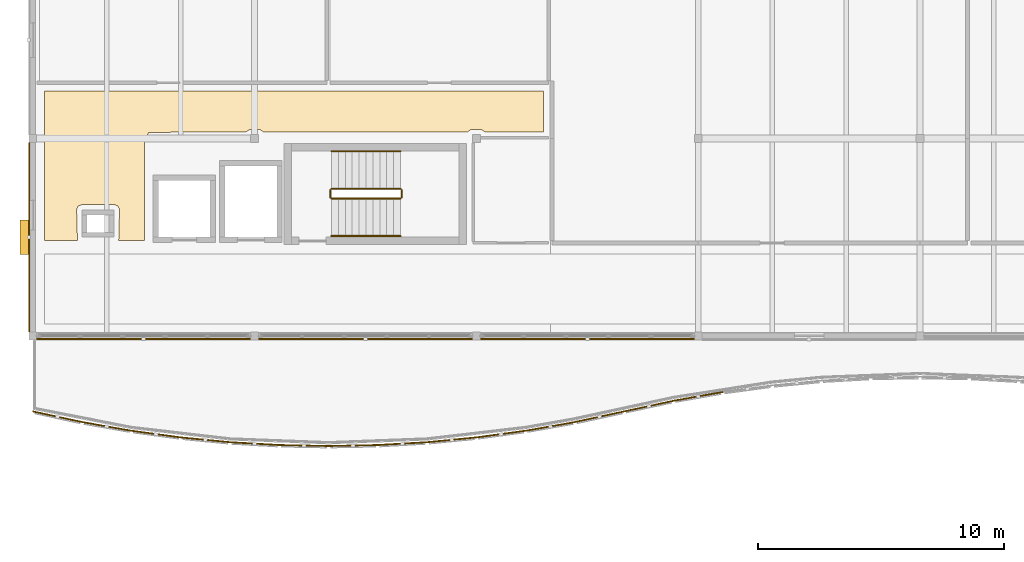
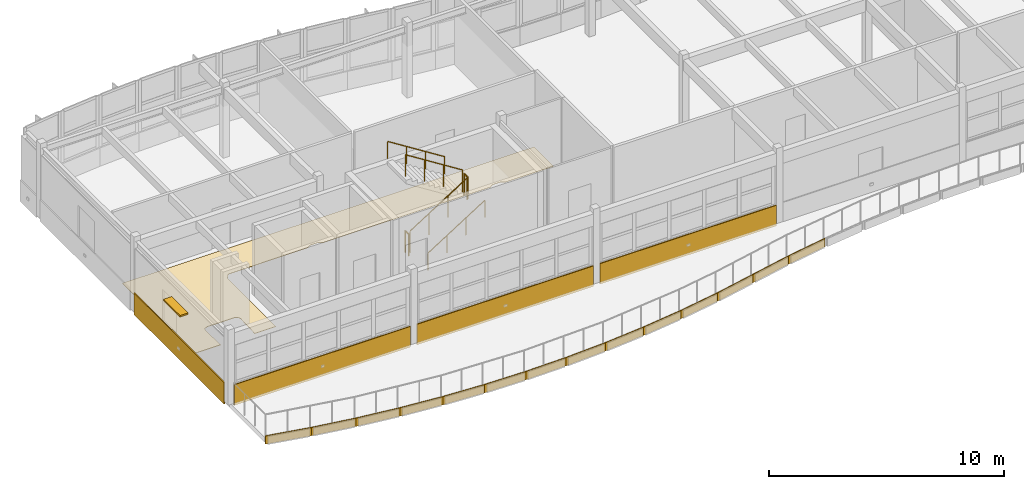
# One storey, part 27 of 33: 19 coverings, 6 railings, 1 shading device.
"""IFC4 building model written with IfcOpenShell, lengths in metres."""

from ifc_helpers import new_model, si_unit, direction, frame, origin, origin_2d, place, context, subcontext, project, spatial, polyline, rectangle, circle, outline, extrude, material, layer, layer_set, type_object, element, save


model = new_model("IFC4")

# Units and contexts
model_context = context("Model", 3, precision=1e-05, world=origin(), true_north=direction((0.0, 1.0)))
body_context = subcontext(model_context, "Body", "Model", "MODEL_VIEW")
ifc_project = project(units=[si_unit("LENGTHUNIT", "METRE"), si_unit("AREAUNIT", "SQUARE_METRE"), si_unit("VOLUMEUNIT", "CUBIC_METRE"), si_unit("PLANEANGLEUNIT", "RADIAN"), si_unit("MASSUNIT", "GRAM", prefix="KILO")], contexts=[model_context])

# Site, building, storey
site_placement = place(None, origin())
site = spatial("IfcSite", under=ifc_project, at=site_placement, CompositionType="ELEMENT")
building_placement = place(site_placement, origin())
building = spatial("IfcBuilding", under=site, at=building_placement, Name="Tonlespit Floodbar School", CompositionType="ELEMENT")
storey_placement = place(building_placement, frame((0.0, 0.0, 16.199951171875)))
storey = spatial("IfcBuildingStorey", under=building, at=storey_placement, Name="L04", CompositionType="ELEMENT", Elevation=16.199951171875)

# Coverings
ifc_material_1 = material(Name="White Architectural Aluminium", Category="aluminium")
ifc_layer_1 = layer(ifc_material_1, 0.050048828125)
ifc_layer_set_1 = layer_set([ifc_layer_1], Name="White Architectural Aluminium")
covering_type_1 = type_object("IfcCoveringType", Name="Cladding_WhiteBand_50", PredefinedType="CLADDING", material=ifc_layer_set_1)
covering_1_placement = place(storey_placement, frame((0.0, 0.0, -0.119873046875)))
element("IfcCovering", 1, at=covering_1_placement, inside=storey, type_object=covering_type_1, Name="L04 curved white spandrel cladding 0338", PredefinedType="CLADDING", context=body_context, shape_type="SweptSolid", body=[
    extrude(outline(polyline([(70.840087890625, 103.89990234375), (62.159912109375, 103.89990234375), (62.159912109375, 103.85009765625), (70.840087890625, 103.85009765625), (70.840087890625, 103.89990234375)])), origin(), (0.0, 0.0, 1.0), 1.06982421875),
])
covering_2_placement = place(storey_placement, frame((0.0, 0.0, -0.119873046875)))
element("IfcCovering", 2, at=covering_2_placement, inside=storey, type_object=covering_type_1, Name="L04 curved white spandrel cladding 0339", PredefinedType="CLADDING", context=body_context, shape_type="SweptSolid", body=[
    extrude(outline(polyline([(61.840087890625, 103.89990234375), (53.159912109375, 103.89990234375), (53.159912109375, 103.85009765625), (61.840087890625, 103.85009765625), (61.840087890625, 103.89990234375)])), origin(), (0.0, 0.0, 1.0), 1.06982421875),
])
covering_3_placement = place(storey_placement, frame((0.0, 0.0, -0.119873046875)))
element("IfcCovering", 3, at=covering_3_placement, inside=storey, type_object=covering_type_1, Name="L04 curved white spandrel cladding 0340", PredefinedType="CLADDING", context=body_context, shape_type="SweptSolid", body=[
    extrude(outline(polyline([(52.840087890625, 103.89990234375), (44.159912109375, 103.89990234375), (44.159912109375, 103.85009765625), (52.840087890625, 103.85009765625), (52.840087890625, 103.89990234375)])), origin(), (0.0, 0.0, 1.0), 1.06982421875),
])
covering_4_placement = place(storey_placement, frame((0.0, 0.0, -0.119873046875)))
element("IfcCovering", 4, at=covering_4_placement, inside=storey, type_object=covering_type_1, Name="L04 curved white spandrel cladding 0341", PredefinedType="CLADDING", context=body_context, shape_type="SweptSolid", body=[
    extrude(outline(polyline([(43.8798828125, 104.159912109375), (43.8798828125, 111.840087890625), (43.830078125, 111.840087890625), (43.830078125, 104.159912109375), (43.8798828125, 104.159912109375)])), origin(), (0.0, 0.0, 1.0), 1.119873046875),
])
covering_5_placement = place(storey_placement, frame((0.0, 0.0, -0.300048828125)))
element("IfcCovering", 5, at=covering_5_placement, inside=storey, type_object=covering_type_1, Name="L04 curved white spandrel cladding 0344", PredefinedType="CLADDING", context=body_context, shape_type="SweptSolid", body=[
    extrude(outline(polyline([(44.0, 100.9599609375), (46.0, 100.527099609375), (46.0, 100.47705078125), (44.0, 100.909912109375), (44.0, 100.9599609375)])), origin(), (0.0, 0.0, 1.0), 0.420166015625),
])
covering_6_placement = place(storey_placement, frame((0.0, 0.0, -0.300048828125)))
element("IfcCovering", 6, at=covering_6_placement, inside=storey, type_object=covering_type_1, Name="L04 curved white spandrel cladding 0345", PredefinedType="CLADDING", context=body_context, shape_type="SweptSolid", body=[
    extrude(outline(polyline([(46.0, 100.527099609375), (48.0, 100.175537109375), (48.0, 100.12548828125), (46.0, 100.47705078125), (46.0, 100.527099609375)])), origin(), (0.0, 0.0, 1.0), 0.420166015625),
])
covering_7_placement = place(storey_placement, frame((0.0, 0.0, -0.300048828125)))
element("IfcCovering", 7, at=covering_7_placement, inside=storey, type_object=covering_type_1, Name="L04 curved white spandrel cladding 0346", PredefinedType="CLADDING", context=body_context, shape_type="SweptSolid", body=[
    extrude(outline(polyline([(48.0, 100.175537109375), (50.0, 99.90380859375), (50.0, 99.853759765625), (48.0, 100.12548828125), (48.0, 100.175537109375)])), origin(), (0.0, 0.0, 1.0), 0.420166015625),
])
covering_8_placement = place(storey_placement, frame((0.0, 0.0, -0.300048828125)))
element("IfcCovering", 8, at=covering_8_placement, inside=storey, type_object=covering_type_1, Name="L04 curved white spandrel cladding 0347", PredefinedType="CLADDING", context=body_context, shape_type="SweptSolid", body=[
    extrude(outline(polyline([(50.0, 99.90380859375), (52.0, 99.71044921875), (52.0, 99.660400390625), (50.0, 99.853759765625), (50.0, 99.90380859375)])), origin(), (0.0, 0.0, 1.0), 0.420166015625),
])
covering_9_placement = place(storey_placement, frame((0.0, 0.0, -0.300048828125)))
element("IfcCovering", 9, at=covering_9_placement, inside=storey, type_object=covering_type_1, Name="L04 curved white spandrel cladding 0348", PredefinedType="CLADDING", context=body_context, shape_type="SweptSolid", body=[
    extrude(outline(polyline([(52.0, 99.71044921875), (54.0, 99.594970703125), (54.0, 99.544921875), (52.0, 99.660400390625), (52.0, 99.71044921875)])), origin(), (0.0, 0.0, 1.0), 0.420166015625),
])
covering_10_placement = place(storey_placement, frame((0.0, 0.0, -0.300048828125)))
element("IfcCovering", 10, at=covering_10_placement, inside=storey, type_object=covering_type_1, Name="L04 curved white spandrel cladding 0349", PredefinedType="CLADDING", context=body_context, shape_type="SweptSolid", body=[
    extrude(outline(polyline([(54.0, 99.594970703125), (56.0, 99.556396484375), (56.0, 99.50634765625), (54.0, 99.544921875), (54.0, 99.594970703125)])), origin(), (0.0, 0.0, 1.0), 0.420166015625),
])
covering_11_placement = place(storey_placement, frame((0.0, 0.0, -0.300048828125)))
element("IfcCovering", 11, at=covering_11_placement, inside=storey, type_object=covering_type_1, Name="L04 curved white spandrel cladding 0350", PredefinedType="CLADDING", context=body_context, shape_type="SweptSolid", body=[
    extrude(outline(polyline([(56.0, 99.556396484375), (58.0, 99.594970703125), (58.0, 99.544921875), (56.0, 99.50634765625), (56.0, 99.556396484375)])), origin(), (0.0, 0.0, 1.0), 0.420166015625),
])
covering_12_placement = place(storey_placement, frame((0.0, 0.0, -0.300048828125)))
element("IfcCovering", 12, at=covering_12_placement, inside=storey, type_object=covering_type_1, Name="L04 curved white spandrel cladding 0351", PredefinedType="CLADDING", context=body_context, shape_type="SweptSolid", body=[
    extrude(outline(polyline([(58.0, 99.594970703125), (60.0, 99.71044921875), (60.0, 99.660400390625), (58.0, 99.544921875), (58.0, 99.594970703125)])), origin(), (0.0, 0.0, 1.0), 0.420166015625),
])
covering_13_placement = place(storey_placement, frame((0.0, 0.0, -0.300048828125)))
element("IfcCovering", 13, at=covering_13_placement, inside=storey, type_object=covering_type_1, Name="L04 curved white spandrel cladding 0352", PredefinedType="CLADDING", context=body_context, shape_type="SweptSolid", body=[
    extrude(outline(polyline([(60.0, 99.71044921875), (62.0, 99.90380859375), (62.0, 99.853759765625), (60.0, 99.660400390625), (60.0, 99.71044921875)])), origin(), (0.0, 0.0, 1.0), 0.420166015625),
])
covering_14_placement = place(storey_placement, frame((0.0, 0.0, -0.300048828125)))
element("IfcCovering", 14, at=covering_14_placement, inside=storey, type_object=covering_type_1, Name="L04 curved white spandrel cladding 0353", PredefinedType="CLADDING", context=body_context, shape_type="SweptSolid", body=[
    extrude(outline(polyline([(62.0, 99.90380859375), (64.0, 100.175537109375), (64.0, 100.12548828125), (62.0, 99.853759765625), (62.0, 99.90380859375)])), origin(), (0.0, 0.0, 1.0), 0.420166015625),
])
covering_15_placement = place(storey_placement, frame((0.0, 0.0, -0.300048828125)))
element("IfcCovering", 15, at=covering_15_placement, inside=storey, type_object=covering_type_1, Name="L04 curved white spandrel cladding 0354", PredefinedType="CLADDING", context=body_context, shape_type="SweptSolid", body=[
    extrude(outline(polyline([(64.0, 100.175537109375), (66.0, 100.527099609375), (66.0, 100.47705078125), (64.0, 100.12548828125), (64.0, 100.175537109375)])), origin(), (0.0, 0.0, 1.0), 0.420166015625),
])
covering_16_placement = place(storey_placement, frame((0.0, 0.0, -0.300048828125)))
element("IfcCovering", 16, at=covering_16_placement, inside=storey, type_object=covering_type_1, Name="L04 curved white spandrel cladding 0355", PredefinedType="CLADDING", context=body_context, shape_type="SweptSolid", body=[
    extrude(outline(polyline([(66.0, 100.527099609375), (68.0, 100.9599609375), (68.0, 100.909912109375), (66.0, 100.47705078125), (66.0, 100.527099609375)])), origin(), (0.0, 0.0, 1.0), 0.420166015625),
])
covering_17_placement = place(storey_placement, frame((0.0, 0.0, -0.300048828125)))
element("IfcCovering", 17, at=covering_17_placement, inside=storey, type_object=covering_type_1, Name="L04 curved white spandrel cladding 0356", PredefinedType="CLADDING", context=body_context, shape_type="SweptSolid", body=[
    extrude(outline(polyline([(68.0, 100.9599609375), (70.0, 101.39306640625), (70.0, 101.343017578125), (68.0, 100.909912109375), (68.0, 100.9599609375)])), origin(), (0.0, 0.0, 1.0), 0.420166015625),
])
covering_18_placement = place(storey_placement, frame((0.0, 0.0, -0.300048828125)))
element("IfcCovering", 18, at=covering_18_placement, inside=storey, type_object=covering_type_1, Name="L04 curved white spandrel cladding 0357", PredefinedType="CLADDING", context=body_context, shape_type="SweptSolid", body=[
    extrude(outline(polyline([(70.0, 101.39306640625), (72.0, 101.744384765625), (72.0, 101.694580078125), (70.0, 101.343017578125), (70.0, 101.39306640625)])), origin(), (0.0, 0.0, 1.0), 0.420166015625),
])
ifc_material_2 = material(Name="Terrazzo Tile")
ifc_layer_2 = layer(ifc_material_2, 0.02001953125)
ifc_layer_set_2 = layer_set([ifc_layer_2], Name="Terrazzo Tile")
covering_type_2 = type_object("IfcCoveringType", Name="Flooring_Terrazzo_20", PredefinedType="FLOORING", material=ifc_layer_set_2)
covering_19_placement = place(storey_placement, origin())
element("IfcCovering", 19, at=covering_19_placement, inside=storey, type_object=covering_type_2, Name="L04 West Lobby Passage L04 terrazzo flooring", PredefinedType="FLOORING", context=body_context, shape_type="SweptSolid", body=[
    extrude(outline(polyline([(45.81298828125, 107.8701171875), (44.469970703125, 107.8701171875), (44.469970703125, 113.929931640625), (64.72998046875, 113.929931640625), (64.72998046875, 112.27001953125), (62.3583984375, 112.27001953125), (62.179931640625, 112.3798828125), (61.781005859375, 112.376220703125), (61.6416015625, 112.27001953125), (53.3583984375, 112.27001953125), (53.218994140625, 112.376220703125), (52.820068359375, 112.3798828125), (52.6416015625, 112.27001953125), (48.718505859375, 112.25732421875), (48.530029296875, 112.0), (48.530029296875, 107.8701171875), (47.487060546875, 107.8701171875), (47.51904296875, 109.1396484375), (47.447021484375, 109.274658203125), (47.320068359375, 109.320068359375), (45.97998046875, 109.320068359375), (45.838623046875, 109.261474609375), (45.780029296875, 109.1201171875), (45.81298828125, 107.8701171875)])), origin(), (0.0, 0.0, 1.0), 0.02001953125),
])

# Railings
ifc_material_3 = material(Name="Galvanised Steel", Category="steel")
railing_type_1 = type_object("IfcRailingType", Name="Guard_Int_1150", PredefinedType="BALUSTRADE", material=ifc_material_3)
railing_1_placement = place(storey_placement, frame((56.1201171875, 109.570068359375, 0.17724609375)))
element("IfcRailing", 20, at=railing_1_placement, inside=storey, type_object=railing_type_1, Name="L04 ST-C1 stair guard 1", PredefinedType="BALUSTRADE", context=body_context, shape_type="SweptSolid", body=[
    extrude(circle(Radius=0.02392578125, at=origin_2d()), frame((0.0, 0.0, 1.1259765625), z_axis=(0.844887892834, 0.0, 0.53494340686), x_axis=(0.0, 1.0, 0.0)), (0.0, 0.0, 1.0), 3.313720703125),
    extrude(circle(Radius=0.02099609375, at=origin_2d()), origin(), (0.0, 0.0, 1.0), 1.101806640625),
    extrude(circle(Radius=0.02099609375, at=origin_2d()), frame((0.933349609375, 0.0, 0.5908203125)), (0.0, 0.0, 1.0), 1.101806640625),
    extrude(circle(Radius=0.02099609375, at=origin_2d()), frame((1.866455078125, 0.0, 1.181884765625)), (0.0, 0.0, 1.0), 1.101806640625),
    extrude(circle(Radius=0.02099609375, at=origin_2d()), frame((2.7998046875, 0.0, 1.772705078125)), (0.0, 0.0, 1.0), 1.101806640625),
])
railing_2_placement = place(storey_placement, frame((58.969970703125, 109.6201171875, 1.949951171875)))
element("IfcRailing", 21, at=railing_2_placement, inside=storey, type_object=railing_type_1, Name="L04 ST-C1 stair guard 2", PredefinedType="BALUSTRADE", context=body_context, shape_type="SweptSolid", body=[
    extrude(circle(Radius=0.02392578125, at=origin_2d()), frame((0.0, 0.0, 1.1259765625), z_axis=(0.0, 1.0, 0.0), x_axis=(-1.0, 0.0, 0.0)), (0.0, 0.0, 1.0), 0.2998046875),
    extrude(circle(Radius=0.02099609375, at=origin_2d()), origin(), (0.0, 0.0, 1.0), 1.101806640625),
    extrude(circle(Radius=0.02099609375, at=origin_2d()), frame((0.0, 0.2998046875, 0.0)), (0.0, 0.0, 1.0), 1.101806640625),
])
railing_3_placement = place(storey_placement, frame((58.919921875, 109.969970703125, 2.12744140625)))
element("IfcRailing", 22, at=railing_3_placement, inside=storey, type_object=railing_type_1, Name="L04 ST-C1 stair guard 3", PredefinedType="BALUSTRADE", context=body_context, shape_type="SweptSolid", body=[
    extrude(circle(Radius=0.02392578125, at=origin_2d()), frame((0.0, 0.0, 1.1259765625), z_axis=(-0.844887892834, 0.0, 0.53494340686), x_axis=(0.0, -1.0, 0.0)), (0.0, 0.0, 1.0), 3.313720703125),
    extrude(circle(Radius=0.02099609375, at=origin_2d()), origin(), (0.0, 0.0, 1.0), 1.101806640625),
    extrude(circle(Radius=0.02099609375, at=origin_2d()), frame((-0.933349609375, 0.0, 0.5908203125)), (0.0, 0.0, 1.0), 1.101806640625),
    extrude(circle(Radius=0.02099609375, at=origin_2d()), frame((-1.866455078125, 0.0, 1.181884765625)), (0.0, 0.0, 1.0), 1.101806640625),
    extrude(circle(Radius=0.02099609375, at=origin_2d()), frame((-2.7998046875, 0.0, 1.772705078125)), (0.0, 0.0, 1.0), 1.101806640625),
])
railing_4_placement = place(storey_placement, frame((56.070068359375, 109.6201171875, 0.0)))
element("IfcRailing", 23, at=railing_4_placement, inside=storey, type_object=railing_type_1, Name="L04 ST-C1 stair guard 4", PredefinedType="BALUSTRADE", context=body_context, shape_type="SweptSolid", body=[
    extrude(circle(Radius=0.02392578125, at=origin_2d()), frame((0.0, 0.0, 1.1259765625), z_axis=(0.0, 1.0, 0.0), x_axis=(-1.0, 0.0, 0.0)), (0.0, 0.0, 1.0), 0.2998046875),
    extrude(circle(Radius=0.02099609375, at=origin_2d()), origin(), (0.0, 0.0, 1.0), 1.101806640625),
    extrude(circle(Radius=0.02099609375, at=origin_2d()), frame((0.0, 0.2998046875, 0.0)), (0.0, 0.0, 1.0), 1.101806640625),
])
railing_type_2 = type_object("IfcRailingType", Name="Handrail_Int_920", PredefinedType="HANDRAIL", material=ifc_material_3)
railing_5_placement = place(storey_placement, frame((56.1201171875, 108.050048828125, 0.17724609375)))
element("IfcRailing", 24, at=railing_5_placement, inside=storey, type_object=railing_type_2, Name="L04 ST-C1 stair handrail 1", PredefinedType="HANDRAIL", context=body_context, shape_type="SweptSolid", body=[
    extrude(circle(Radius=0.02392578125, at=origin_2d()), frame((0.0, 0.0, 0.89599609375), z_axis=(0.844887892834, 0.0, 0.53494340686), x_axis=(0.0, 1.0, 0.0)), (0.0, 0.0, 1.0), 3.313720703125),
    extrude(circle(Radius=0.02099609375, at=origin_2d()), origin(), (0.0, 0.0, 1.0), 0.871826171875),
    extrude(circle(Radius=0.02099609375, at=origin_2d()), frame((0.933349609375, 0.0, 0.5908203125)), (0.0, 0.0, 1.0), 0.871826171875),
    extrude(circle(Radius=0.02099609375, at=origin_2d()), frame((1.866455078125, 0.0, 1.181884765625)), (0.0, 0.0, 1.0), 0.871826171875),
    extrude(circle(Radius=0.02099609375, at=origin_2d()), frame((2.7998046875, 0.0, 1.772705078125)), (0.0, 0.0, 1.0), 0.871826171875),
])
railing_6_placement = place(storey_placement, frame((58.919921875, 111.489990234375, 2.12744140625)))
element("IfcRailing", 25, at=railing_6_placement, inside=storey, type_object=railing_type_2, Name="L04 ST-C1 stair handrail 2", PredefinedType="HANDRAIL", context=body_context, shape_type="SweptSolid", body=[
    extrude(circle(Radius=0.02392578125, at=origin_2d()), frame((0.0, 0.0, 0.89599609375), z_axis=(-0.844887892834, 0.0, 0.53494340686), x_axis=(0.0, -1.0, 0.0)), (0.0, 0.0, 1.0), 3.313720703125),
    extrude(circle(Radius=0.02099609375, at=origin_2d()), origin(), (0.0, 0.0, 1.0), 0.871826171875),
    extrude(circle(Radius=0.02099609375, at=origin_2d()), frame((-0.933349609375, 0.0, 0.5908203125)), (0.0, 0.0, 1.0), 0.871826171875),
    extrude(circle(Radius=0.02099609375, at=origin_2d()), frame((-1.866455078125, 0.0, 1.181884765625)), (0.0, 0.0, 1.0), 0.871826171875),
    extrude(circle(Radius=0.02099609375, at=origin_2d()), frame((-2.7998046875, 0.0, 1.772705078125)), (0.0, 0.0, 1.0), 0.871826171875),
])

# Shading device
ifc_material_4 = material(Name="Anodised Aluminium", Category="aluminium")
ifc_layer_3 = layer(ifc_material_4, 0.080078125)
ifc_layer_set_3 = layer_set([ifc_layer_3], Name="Anodised Aluminium")
shading_device_type = type_object("IfcShadingDeviceType", Name="Shading_MonsoonJalousie_400", PredefinedType="JALOUSIE", material=ifc_layer_set_3)
shading_device_placement = place(storey_placement, frame((43.681884765625, 108.0, 2.6201171875), z_axis=(0.0, 0.0, 1.0), x_axis=(0.0, 1.0, 0.0)))
element("IfcShadingDevice", 26, at=shading_device_placement, inside=storey, type_object=shading_device_type, Name="L04 monsoon jalousie 092", PredefinedType="JALOUSIE", context=body_context, shape_type="SweptSolid", body=[
    extrude(rectangle(XDim=1.39990234375, YDim=0.39990234375, at=origin_2d()), origin(), (0.0, 0.0, 1.0), 0.080078125),
])

save(model, "model.ifc")
